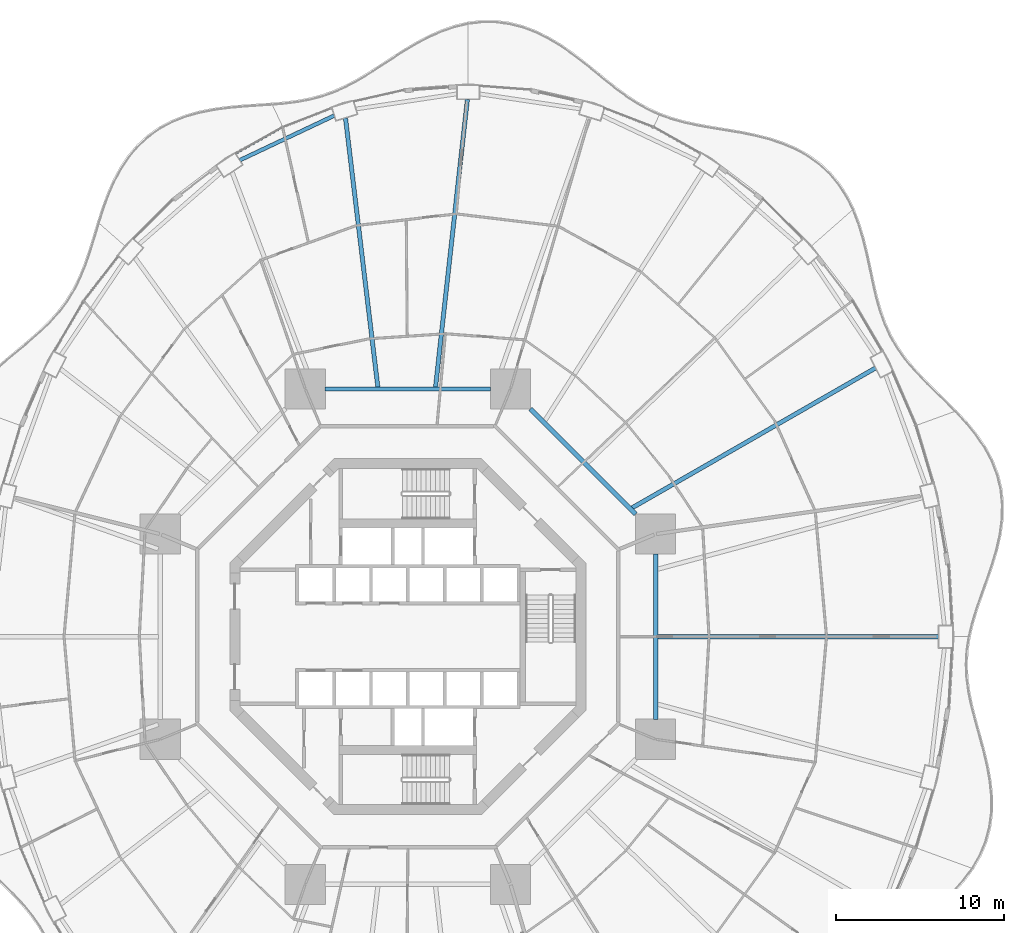
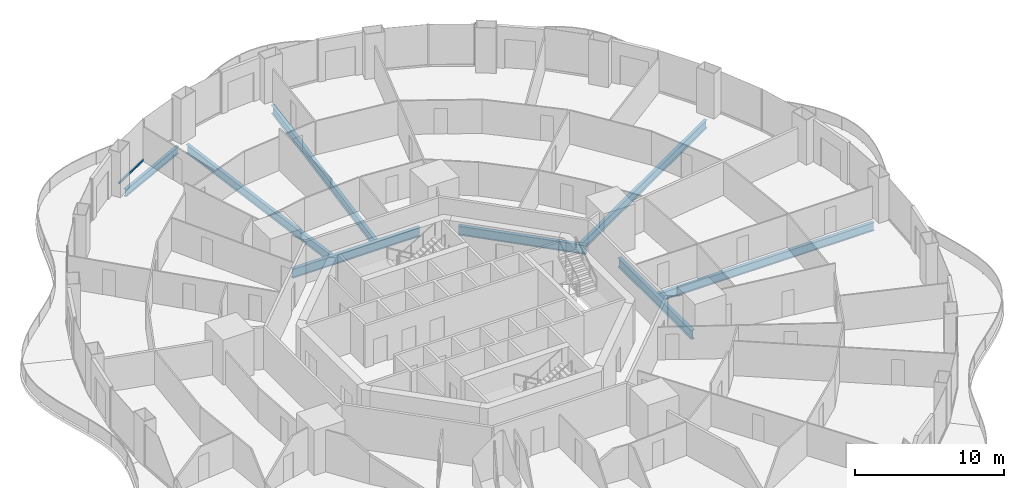
# One storey, part 8 of 22: 8 beams, 1 member, 1 element without a shape of its own.
"""IFC4 building model written with IfcOpenShell, lengths in metres."""

from ifc_helpers import new_model, si_unit, direction, frame, origin, origin_2d, place, context, subcontext, project, spatial, rectangle, i_section, extrude, material, layer, layer_set, material_profile, profile_set, type_object, element, aggregate, save


model = new_model("IFC4")

# Units and contexts
model_context = context("Model", 3, precision=1e-05, world=origin(), true_north=direction((0.0, 1.0)))
body_context = subcontext(model_context, "Body", "Model", "MODEL_VIEW")
ifc_project = project(units=[si_unit("LENGTHUNIT", "METRE"), si_unit("AREAUNIT", "SQUARE_METRE"), si_unit("VOLUMEUNIT", "CUBIC_METRE"), si_unit("PLANEANGLEUNIT", "RADIAN"), si_unit("MASSUNIT", "GRAM", prefix="KILO")], contexts=[model_context])

# Site, building, storey
site_placement = place(None, origin())
site = spatial("IfcSite", under=ifc_project, at=site_placement, CompositionType="ELEMENT")
building_placement = place(site_placement, origin())
building = spatial("IfcBuilding", under=site, at=building_placement, Name="Nagisa Residences", CompositionType="ELEMENT")
storey_placement = place(building_placement, frame((0.0, 0.0, 45.5)))
storey = spatial("IfcBuildingStorey", under=building, at=storey_placement, Name="L10", CompositionType="ELEMENT", Elevation=45.5)

# Curtain wall, member
ifc_material_1 = material(Name="Concrete-coloured aluminium curtain wall system", Category="concrete")
ifc_layer = layer(ifc_material_1, 0.159912109375)
ifc_layer_set = layer_set([ifc_layer], Name="CW1 CURTAIN WALL")
curtain_wall_type = type_object("IfcCurtainWallType", Name="CW1 CURTAIN WALL", PredefinedType="NOTDEFINED", material=ifc_layer_set)
curtain_wall_placement = place(storey_placement, origin())
curtain_wall = element("IfcCurtainWall", 1, at=curtain_wall_placement, inside=storey, type_object=curtain_wall_type, Name="cw:CW1:L10:15", PredefinedType="NOTDEFINED")
ifc_material_2 = material(Name="Concrete-coloured aluminium", Category="concrete")
ifc_material_profile_1 = material_profile(ifc_material_2, rectangle(XDim=0.1201171875, YDim=0.14990234375, at=origin_2d()), Name="CW1 TRANSOM 120x150")
ifc_profile_set_1 = profile_set([ifc_material_profile_1], Name="Concrete-coloured aluminium")
member_type = type_object("IfcMemberType", Name="CW1 TRANSOM 120x150", PredefinedType="USERDEFINED", material=ifc_profile_set_1)
member_placement = place(storey_placement, frame((-7.458740234375, 30.418212890625, 0.074951171875), z_axis=(-0.872070011948, -0.489381133946, 0.0), x_axis=(0.489381133946, -0.872070011948, 0.0)))
member = element("IfcMember", 2, at=member_placement, type_object=member_type, Name="CW1 transom", ObjectType="TRANSOM", PredefinedType="USERDEFINED", context=body_context, shape_type="SweptSolid", body=[
    extrude(rectangle(XDim=0.1201171875, YDim=0.14990234375, at=origin_2d()), origin(), (0.0, 0.0, 1.0), 3.201171875),
])
aggregate(curtain_wall, [member])

# Beams
ifc_material_3 = material(Name="Steel ASTM A572 Gr 50", Category="steel")
ifc_material_profile_2 = material_profile(ifc_material_3, i_section(OverallWidth=0.264892578125, OverallDepth=0.7529296875, WebThickness=0.01318359375, FlangeThickness=0.01708984375, at=origin_2d()), Name="W760x147")
ifc_profile_set_2 = profile_set([ifc_material_profile_2], Name="Steel ASTM A572 Gr 50")
beam_type_1 = type_object("IfcBeamType", Name="Inner ring beam W760x147", PredefinedType="BEAM", material=ifc_profile_set_2)
beam_1_placement = place(storey_placement, frame((13.59619140625, 7.308837890625, -0.636474609375), z_axis=(-0.707106781187, 0.707106781187, 0.0), x_axis=(-0.707106781187, -0.707106781187, 0.0)))
element("IfcBeam", 3, at=beam_1_placement, inside=storey, type_object=beam_type_1, Name="beam:L10:ib1", PredefinedType="BEAM", context=body_context, shape_type="SweptSolid", body=[
    extrude(i_section(OverallWidth=0.264892578125, OverallDepth=0.7529296875, WebThickness=0.01318359375, FlangeThickness=0.01708984375, at=origin_2d()), origin(), (0.0, 0.0, 1.0), 8.8916015625),
])
for number, where, z_axis, x_axis, name in (
    (4, (4.94287109375, 14.781982421875, -0.636474609375), (-1.0, 0.0, 0.0), (0.0, -1.0, 0.0), "beam:L10:ib2"),
    (5, (14.781982421875, -4.94287109375, -0.636474609375), (0.0, 1.0, 0.0), (-1.0, 0.0, 0.0), "beam:L10:ib8"),
):
    element("IfcBeam", number, at=place(storey_placement, frame(where, z_axis=z_axis, x_axis=x_axis)), inside=storey, type_object=beam_type_1, Name=name, PredefinedType="BEAM", context=body_context, shape_type="SweptSolid", body=[
        extrude(i_section(OverallWidth=0.264892578125, OverallDepth=0.7529296875, WebThickness=0.01318359375, FlangeThickness=0.01708984375, at=origin_2d()), origin(), (0.0, 0.0, 1.0), 9.8857421875),
    ])
ifc_material_4 = material(Name="Steel ASTM A572 Gr 50", Category="steel")
ifc_material_profile_3 = material_profile(ifc_material_4, i_section(OverallWidth=0.22802734375, OverallDepth=0.60302734375, WebThickness=0.010498046875, FlangeThickness=0.014892578125, at=origin_2d()), Name="W610x101")
ifc_profile_set_3 = profile_set([ifc_material_profile_3], Name="Steel ASTM A572 Gr 50")
beam_type_2 = type_object("IfcBeamType", Name="Perimeter ring beam W610x101", PredefinedType="BEAM", material=ifc_profile_set_3)
beam_2_placement = place(storey_placement, frame((-4.39794921875, 31.098876953125, -0.5615234375), z_axis=(-0.904208275867, -0.427091786216, 0.0), x_axis=(0.427091786216, -0.904208275867, 0.0)))
element("IfcBeam", 6, at=beam_2_placement, inside=storey, type_object=beam_type_2, Name="beam:L10:pb08", PredefinedType="BEAM", context=body_context, shape_type="SweptSolid", body=[
    extrude(i_section(OverallWidth=0.22802734375, OverallDepth=0.60302734375, WebThickness=0.010498046875, FlangeThickness=0.014892578125, at=origin_2d()), origin(), (0.0, 0.0, 1.0), 6.227294921875),
])
ifc_material_5 = material(Name="Steel ASTM A572 Gr 50", Category="steel")
ifc_material_profile_4 = material_profile(ifc_material_5, i_section(OverallWidth=0.25390625, OverallDepth=0.68408203125, WebThickness=0.012451171875, FlangeThickness=0.018798828125, at=origin_2d()), Name="W690x140")
ifc_profile_set_4 = profile_set([ifc_material_profile_4], Name="Steel ASTM A572 Gr 50")
beam_type_3 = type_object("IfcBeamType", Name="Radial beam W690x140", PredefinedType="BEAM", material=ifc_profile_set_4)
beam_3_placement = place(storey_placement, frame((31.669921875, 0.0, -0.60205078125), z_axis=(-1.0, 0.0, 0.0), x_axis=(0.0, -1.0, 0.0)))
element("IfcBeam", 7, at=beam_3_placement, inside=storey, type_object=beam_type_3, Name="beam:L10:rb01", PredefinedType="BEAM", context=body_context, shape_type="SweptSolid", body=[
    extrude(i_section(OverallWidth=0.25390625, OverallDepth=0.68408203125, WebThickness=0.012451171875, FlangeThickness=0.018798828125, at=origin_2d()), origin(), (0.0, 0.0, 1.0), 16.775390625),
])
beam_4_placement = place(storey_placement, frame((27.908447265625, 16.035400390625, -0.60205078125), z_axis=(-0.867068052258, -0.498189715623, 0.0), x_axis=(0.498189715623, -0.867068052258, 0.0)))
element("IfcBeam", 8, at=beam_4_placement, inside=storey, type_object=beam_type_3, Name="beam:L10:rb03", PredefinedType="BEAM", context=body_context, shape_type="SweptSolid", body=[
    extrude(i_section(OverallWidth=0.25390625, OverallDepth=0.68408203125, WebThickness=0.012451171875, FlangeThickness=0.018798828125, at=origin_2d()), origin(), (0.0, 0.0, 1.0), 16.758056640625),
])
beam_5_placement = place(storey_placement, frame((3.55224609375, 32.06982421875, -0.60205078125), z_axis=(-0.110088818647, -0.993921753464, 0.0), x_axis=(0.993921753464, -0.110088818647, 0.0)))
element("IfcBeam", 9, at=beam_5_placement, inside=storey, type_object=beam_type_3, Name="beam:L10:rb07", PredefinedType="BEAM", context=body_context, shape_type="SweptSolid", body=[
    extrude(i_section(OverallWidth=0.25390625, OverallDepth=0.68408203125, WebThickness=0.012451171875, FlangeThickness=0.018798828125, at=origin_2d()), origin(), (0.0, 0.0, 1.0), 17.280029296875),
])
beam_6_placement = place(storey_placement, frame((-3.72412109375, 30.958740234375, -0.60205078125), z_axis=(0.119431411612, -0.992842453726, 0.0), x_axis=(0.992842453726, 0.119431411612, 0.0)))
element("IfcBeam", 10, at=beam_6_placement, inside=storey, type_object=beam_type_3, Name="beam:L10:rb08", PredefinedType="BEAM", context=body_context, shape_type="SweptSolid", body=[
    extrude(i_section(OverallWidth=0.25390625, OverallDepth=0.68408203125, WebThickness=0.012451171875, FlangeThickness=0.018798828125, at=origin_2d()), origin(), (0.0, 0.0, 1.0), 16.1796875),
])

save(model, "model.ifc")
